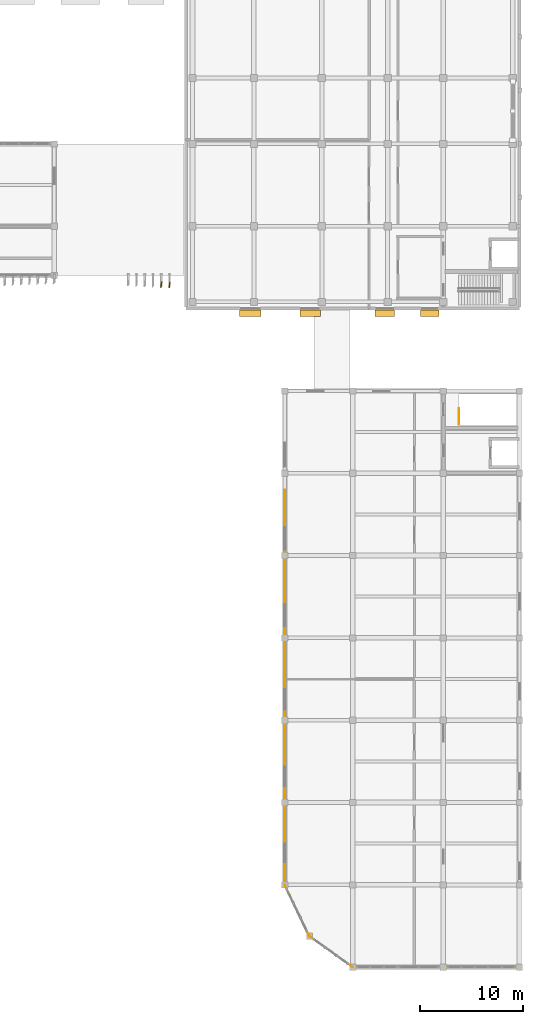
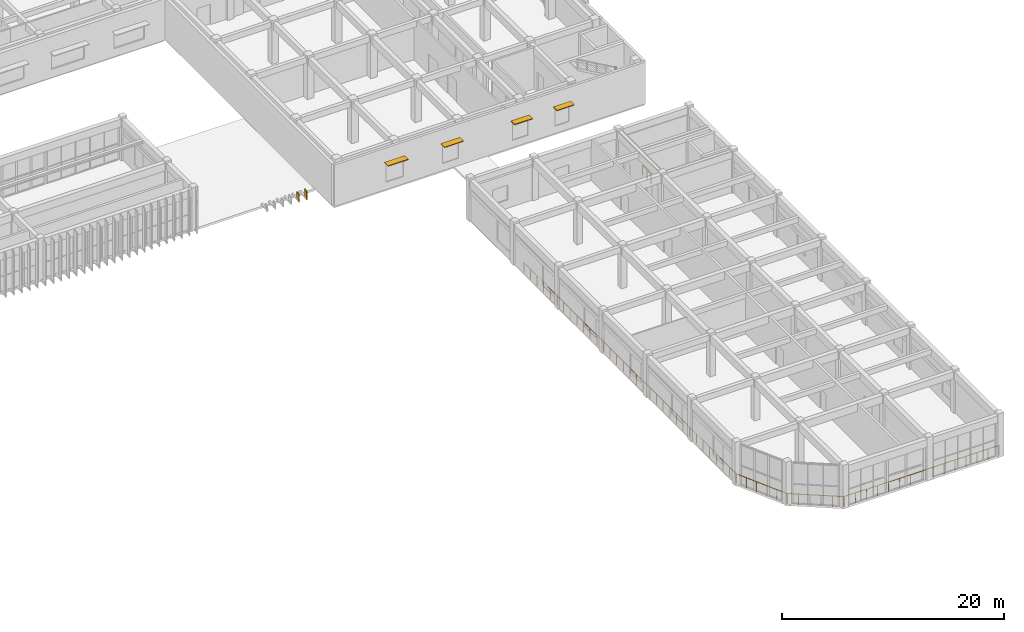
# One storey, part 71 of 76: 5 railings, 4 shading devices, 2 coverings.
"""IFC4 building model written with IfcOpenShell, lengths in metres."""

import ifcopenshell
import ifcopenshell.guid

model = None  # the IFC model being written
_history = None  # IfcOwnerHistory: only IFC2X3 demands one
_inside = {}  # id of a spatial element -> (the spatial element, [elements in it])
_under = {}  # id of a project, library or spatial element -> (it, [spatial elements below it])
_declared = {}  # id of a project -> (the project, [libraries it declares])
_typed = {}  # id of a type object -> (the type object, [elements of that type])
_made_of = {}  # id of a material, layer set ... -> (it, [elements and type objects made of it])


def new_model(schema):
    """Start an empty IFC model of exactly this schema.

    Asked for "IFC4X3", IfcOpenShell would pick the latest addendum, in which some entities
    have other attributes; the version numbers below select the first issue.
    IFC2X3 requires an IfcOwnerHistory on every rooted entity: one is made here for all.
    """
    global model, _history
    if schema == "IFC4X3":
        model = ifcopenshell.file(schema_version=(4, 3, 0, 0))
    else:
        model = ifcopenshell.file(schema=schema)
    _inside.clear()
    _under.clear()
    _declared.clear()
    _typed.clear()
    _made_of.clear()
    _history = None
    if model.schema == "IFC2X3":
        org = make("IfcOrganization", Name="unknown")
        user = make(
            "IfcPersonAndOrganization",
            ThePerson=make("IfcPerson", FamilyName="unknown"),
            TheOrganization=org,
        )
        app = make(
            "IfcApplication",
            ApplicationDeveloper=org,
            Version="unknown",
            ApplicationFullName="unknown",
            ApplicationIdentifier="unknown",
        )
        _history = make(
            "IfcOwnerHistory",
            OwningUser=user,
            OwningApplication=app,
            ChangeAction="ADDED",
            CreationDate=0,
        )
    return model


def make(cls, **values):
    """One entity of the class cls with the attributes given. An attribute that is None is left unset."""
    return model.create_entity(
        cls, **{name: value for name, value in values.items() if value is not None}
    )


def rooted(cls, **values):
    """An entity with a GlobalId (a new one), such as an element, a storey or a relation."""
    return make(cls, GlobalId=ifcopenshell.guid.new(), OwnerHistory=_history, **values)


def si_unit(unit_type, name, prefix=None):
    """IfcSIUnit, for example si_unit("LENGTHUNIT", "METRE", prefix="MILLI")."""
    return make("IfcSIUnit", UnitType=unit_type, Prefix=prefix, Name=name)


def assignment(units):
    """IfcUnitAssignment: the units of a project."""
    return None if units is None else make("IfcUnitAssignment", Units=units)


def point(xyz):
    """IfcCartesianPoint."""
    return None if xyz is None else make("IfcCartesianPoint", Coordinates=xyz)


def direction(xyz):
    """IfcDirection."""
    return None if xyz is None else make("IfcDirection", DirectionRatios=xyz)


def frame(location, z_axis=None, x_axis=None):
    """IfcAxis2Placement3D, a coordinate frame: its origin and axes. An axis left out is left unset."""
    return make(
        "IfcAxis2Placement3D",
        Location=point(location),
        Axis=direction(z_axis),
        RefDirection=direction(x_axis),
    )


def frame_2d(location, x_axis=None):
    """IfcAxis2Placement2D, a coordinate frame in the plane: its origin and x axis."""
    return make(
        "IfcAxis2Placement2D", Location=point(location), RefDirection=direction(x_axis)
    )


def origin():
    """The frame at (0, 0, 0) with its axes left unset."""
    return frame((0.0, 0.0, 0.0))


def origin_2d():
    """The frame at (0, 0) in the plane with its x axis left unset."""
    return frame_2d((0.0, 0.0))


def place(relative_to, where):
    """IfcLocalPlacement: puts the frame where relative to a parent placement (None: the world)."""
    return make(
        "IfcLocalPlacement", PlacementRelTo=relative_to, RelativePlacement=where
    )


def context(
    kind, dimensions, precision=None, world=None, true_north=None, identifier=None
):
    """IfcGeometricRepresentationContext, for example the 3D "Model" context."""
    return make(
        "IfcGeometricRepresentationContext",
        ContextIdentifier=identifier,
        ContextType=kind,
        CoordinateSpaceDimension=dimensions,
        Precision=precision,
        WorldCoordinateSystem=world,
        TrueNorth=true_north,
    )


def subcontext(parent, identifier, kind, view, scale=None):
    """IfcGeometricRepresentationSubContext, for example "Body" below "Model"."""
    return make(
        "IfcGeometricRepresentationSubContext",
        ContextIdentifier=identifier,
        ContextType=kind,
        ParentContext=parent,
        TargetScale=scale,
        TargetView=view,
    )


def project(units=None, contexts=None):
    """IfcProject with its units and contexts."""
    return rooted(
        "IfcProject",
        Name="project",
        RepresentationContexts=contexts,
        UnitsInContext=assignment(units),
    )


def spatial(cls, under=None, at=None, **own):
    """A site, building, storey or space (cls), placed at a placement, below another one or the project."""
    s = rooted(cls, ObjectPlacement=at, **own)
    if under is not None:
        _under.setdefault(under.id(), (under, []))[1].append(s)
    return s


def profile(cls, at=None, kind="AREA", **sizes):
    """A parametric profile (cls). Its sizes go by their IFC names, for example OverallWidth=200.0."""
    return make(cls, ProfileType=kind, Position=at, **sizes)


def rectangle(**sizes):
    """IfcRectangleProfileDef."""
    return profile("IfcRectangleProfileDef", **sizes)


def circle(**sizes):
    """IfcCircleProfileDef."""
    return profile("IfcCircleProfileDef", **sizes)


def extrude(swept, where, along, depth):
    """IfcExtrudedAreaSolid: the profile swept, set in the frame where, extruded along a direction by depth."""
    return make(
        "IfcExtrudedAreaSolid",
        SweptArea=swept,
        Position=where,
        ExtrudedDirection=direction(along),
        Depth=depth,
    )


def shape(context_of_items, identifier, shape_type, items):
    """IfcShapeRepresentation: the items that make up one representation, for example the "Body"."""
    return make(
        "IfcShapeRepresentation",
        ContextOfItems=context_of_items,
        RepresentationIdentifier=identifier,
        RepresentationType=shape_type,
        Items=items,
    )


def material(Name=None, Category=None):
    """IfcMaterial."""
    return make("IfcMaterial", Name=Name, Category=Category)


def layer(
    of_material, thickness, ventilated=None, Name=None, Category=None, Priority=None
):
    """IfcMaterialLayer: one layer of a wall or slab, of a material (None: an air gap)."""
    return make(
        "IfcMaterialLayer",
        Material=of_material,
        LayerThickness=thickness,
        IsVentilated=ventilated,
        Name=Name,
        Category=Category,
        Priority=Priority,
    )


def layer_set(layers, Name=None):
    """IfcMaterialLayerSet."""
    return make("IfcMaterialLayerSet", MaterialLayers=layers, LayerSetName=Name)


def made_of(thing, what):
    """Note that an element or type object is made of a material, layer set ...; save() writes the relation."""
    if what is not None:
        _made_of.setdefault(what.id(), (what, []))[1].append(thing)
    return thing


def type_object(cls, material=None, **own):
    """A type object (cls), such as IfcWallType, which elements share."""
    return made_of(rooted(cls, **own), material)


def element(
    cls,
    number,
    at=None,
    inside=None,
    cuts=None,
    type_object=None,
    material=None,
    context=None,
    identifier="Body",
    shape_type=None,
    held_by="IfcProductDefinitionShape",
    body=None,
    shapes=None,
    **own,
):
    """One element of the class cls, such as IfcWall. Its Tag is "e" and its number.

    at: its placement. inside: the storey or other place that contains it. cuts: it is an
    opening in that element (IfcRelVoidsElement). A single representation is given by context,
    identifier, shape_type and body (its items); several are given by shapes. held_by: the class
    of the entity that holds the representations. save() writes the other relations.
    """
    e = rooted(cls, Tag="e%d" % number, ObjectPlacement=at, **own)
    if body is not None:
        shapes = [shape(context, identifier, shape_type, body)]
    if shapes is not None:
        e.Representation = make(held_by, Representations=shapes)
    if inside is not None:
        _inside.setdefault(inside.id(), (inside, []))[1].append(e)
    if cuts is not None:
        rooted(
            "IfcRelVoidsElement", RelatingBuildingElement=cuts, RelatedOpeningElement=e
        )
    if type_object is not None:
        _typed.setdefault(type_object.id(), (type_object, []))[1].append(e)
    return made_of(e, material)


def aggregate(whole, parts):
    """IfcRelAggregates: a whole, such as a stair, and the parts it consists of."""
    return rooted("IfcRelAggregates", RelatingObject=whole, RelatedObjects=parts)


def save(model, path):
    """Write the relations noted so far, then the file.

    IfcRelAggregates (storeys below a building ...), IfcRelContainedInSpatialStructure (elements
    in a storey), IfcRelDefinesByType, IfcRelAssociatesMaterial and IfcRelDeclares: one each for
    every whole, place, type object, material and project.
    """
    for whole, parts in _under.values():
        aggregate(whole, parts)
    for where, things in _inside.values():
        rooted(
            "IfcRelContainedInSpatialStructure",
            RelatedElements=things,
            RelatingStructure=where,
        )
    for kind, things in _typed.values():
        rooted("IfcRelDefinesByType", RelatedObjects=things, RelatingType=kind)
    for what, things in _made_of.values():
        rooted("IfcRelAssociatesMaterial", RelatedObjects=things, RelatingMaterial=what)
    for by, libraries in _declared.values():
        rooted("IfcRelDeclares", RelatingContext=by, RelatedDefinitions=libraries)
    model.write(path)


model = new_model("IFC4")

# Units and contexts
model_context = context("Model", 3, precision=1e-05, world=origin(), true_north=direction((0.0, 1.0)))
body_context = subcontext(model_context, "Body", "Model", "MODEL_VIEW")
ifc_project = project(units=[si_unit("LENGTHUNIT", "METRE"), si_unit("AREAUNIT", "SQUARE_METRE"), si_unit("VOLUMEUNIT", "CUBIC_METRE"), si_unit("PLANEANGLEUNIT", "RADIAN"), si_unit("MASSUNIT", "GRAM", prefix="KILO")], contexts=[model_context])

# Site, building, storey
site_placement = place(None, origin())
site = spatial("IfcSite", under=ifc_project, at=site_placement, CompositionType="ELEMENT")
building_placement = place(site_placement, origin())
building = spatial("IfcBuilding", under=site, at=building_placement, Name="Cinchona Park Media Centre", CompositionType="ELEMENT")
storey_placement = place(building_placement, frame((0.0, 0.0, 15.60009765625)))
storey = spatial("IfcBuildingStorey", under=building, at=storey_placement, Name="L03", CompositionType="ELEMENT", Elevation=15.60009765625)

# Coverings
ifc_material_1 = material(Name="Anodised Storm-Resistant Aluminium Fin", Category="aluminium")
ifc_layer = layer(ifc_material_1, 0.090087890625)
ifc_layer_set = layer_set([ifc_layer], Name="Anodised Storm-Resistant Aluminium Fin")
covering_type = type_object("IfcCoveringType", Name="CLADDING-FIN01", PredefinedType="CLADDING", material=ifc_layer_set)
covering_1_placement = place(storey_placement, frame((137.199951171875, 73.919921875, 0.0), z_axis=(0.0, 0.0, 1.0), x_axis=(0.150743225348, 0.988572951285, 0.0)))
element("IfcCovering", 1, at=covering_1_placement, inside=storey, type_object=covering_type, Name="Twisting Vertical Facade Fin L03", PredefinedType="CLADDING", context=body_context, shape_type="SweptSolid", body=[
    extrude(rectangle(XDim=0.56005859375, YDim=0.090087890625, at=origin_2d()), origin(), (0.0, 0.0, 1.0), 0.827880859375),
])
covering_2_placement = place(storey_placement, frame((138.0, 73.89111328125, 0.0), z_axis=(0.0, 0.0, 1.0), x_axis=(0.134159142573, 0.990959799621, 0.0)))
element("IfcCovering", 2, at=covering_2_placement, inside=storey, type_object=covering_type, Name="Twisting Vertical Facade Fin L03", PredefinedType="CLADDING", context=body_context, shape_type="SweptSolid", body=[
    extrude(rectangle(XDim=0.56005859375, YDim=0.090087890625, at=origin_2d()), origin(), (0.0, 0.0, 1.0), 0.889892578125),
])

# Railings
ifc_material_2 = material(Name="Galvanised Painted Steel Balustrade", Category="steel")
railing_type_1 = type_object("IfcRailingType", Name="RAILING-GR01", PredefinedType="BALUSTRADE", material=ifc_material_2)
railing_1_placement = place(storey_placement, frame((149.199951171875, 53.968017578125, 0.0)))
element("IfcRailing", 3, at=railing_1_placement, inside=storey, type_object=railing_type_1, Name="Glazed Prow Perimeter Guardrail GR01 L03 S1", PredefinedType="BALUSTRADE", context=body_context, shape_type="SweptSolid", body=[
    extrude(circle(Radius=0.02392578125, at=origin_2d()), frame((0.0, 0.0, 1.09619140625), z_axis=(0.0, -1.0, 0.0), x_axis=(1.0, 0.0, 0.0)), (0.0, 0.0, 1.0), 38.3359375),
    extrude(circle(Radius=0.02099609375, at=origin_2d()), origin(), (0.0, 0.0, 1.0), 1.072021484375),
    extrude(circle(Radius=0.02099609375, at=origin_2d()), frame((0.0, -1.197998046875, 0.0)), (0.0, 0.0, 1.0), 1.072021484375),
    extrude(circle(Radius=0.02099609375, at=origin_2d()), frame((0.0, -2.39599609375, 0.0)), (0.0, 0.0, 1.0), 1.072021484375),
    extrude(circle(Radius=0.02099609375, at=origin_2d()), frame((0.0, -3.593994140625, 0.0)), (0.0, 0.0, 1.0), 1.072021484375),
    extrude(circle(Radius=0.02099609375, at=origin_2d()), frame((0.0, -4.7919921875, 0.0)), (0.0, 0.0, 1.0), 1.072021484375),
    extrude(circle(Radius=0.02099609375, at=origin_2d()), frame((0.0, -5.989990234375, 0.0)), (0.0, 0.0, 1.0), 1.072021484375),
    extrude(circle(Radius=0.02099609375, at=origin_2d()), frame((0.0, -7.18798828125, 0.0)), (0.0, 0.0, 1.0), 1.072021484375),
    extrude(circle(Radius=0.02099609375, at=origin_2d()), frame((0.0, -8.385986328125, 0.0)), (0.0, 0.0, 1.0), 1.072021484375),
    extrude(circle(Radius=0.02099609375, at=origin_2d()), frame((0.0, -9.583984375, 0.0)), (0.0, 0.0, 1.0), 1.072021484375),
    extrude(circle(Radius=0.02099609375, at=origin_2d()), frame((0.0, -10.781982421875, 0.0)), (0.0, 0.0, 1.0), 1.072021484375),
    extrude(circle(Radius=0.02099609375, at=origin_2d()), frame((0.0, -11.97998046875, 0.0)), (0.0, 0.0, 1.0), 1.072021484375),
    extrude(circle(Radius=0.02099609375, at=origin_2d()), frame((0.0, -13.177978515625, 0.0)), (0.0, 0.0, 1.0), 1.072021484375),
    extrude(circle(Radius=0.02099609375, at=origin_2d()), frame((0.0, -14.3759765625, 0.0)), (0.0, 0.0, 1.0), 1.072021484375),
    extrude(circle(Radius=0.02099609375, at=origin_2d()), frame((0.0, -15.573974609375, 0.0)), (0.0, 0.0, 1.0), 1.072021484375),
    extrude(circle(Radius=0.02099609375, at=origin_2d()), frame((0.0, -16.77197265625, 0.0)), (0.0, 0.0, 1.0), 1.072021484375),
    extrude(circle(Radius=0.02099609375, at=origin_2d()), frame((0.0, -17.969970703125, 0.0)), (0.0, 0.0, 1.0), 1.072021484375),
    extrude(circle(Radius=0.02099609375, at=origin_2d()), frame((0.0, -19.16796875, 0.0)), (0.0, 0.0, 1.0), 1.072021484375),
    extrude(circle(Radius=0.02099609375, at=origin_2d()), frame((0.0, -20.365966796875, 0.0)), (0.0, 0.0, 1.0), 1.072021484375),
    extrude(circle(Radius=0.02099609375, at=origin_2d()), frame((0.0, -21.56396484375, 0.0)), (0.0, 0.0, 1.0), 1.072021484375),
    extrude(circle(Radius=0.02099609375, at=origin_2d()), frame((0.0, -22.761962890625, 0.0)), (0.0, 0.0, 1.0), 1.072021484375),
    extrude(circle(Radius=0.02099609375, at=origin_2d()), frame((0.0, -23.9599609375, 0.0)), (0.0, 0.0, 1.0), 1.072021484375),
    extrude(circle(Radius=0.02099609375, at=origin_2d()), frame((0.0, -25.157958984375, 0.0)), (0.0, 0.0, 1.0), 1.072021484375),
    extrude(circle(Radius=0.02099609375, at=origin_2d()), frame((0.0, -26.35595703125, 0.0)), (0.0, 0.0, 1.0), 1.072021484375),
    extrude(circle(Radius=0.02099609375, at=origin_2d()), frame((0.0, -27.553955078125, 0.0)), (0.0, 0.0, 1.0), 1.072021484375),
    extrude(circle(Radius=0.02099609375, at=origin_2d()), frame((0.0, -28.751953125, 0.0)), (0.0, 0.0, 1.0), 1.072021484375),
    extrude(circle(Radius=0.02099609375, at=origin_2d()), frame((0.0, -29.949951171875, 0.0)), (0.0, 0.0, 1.0), 1.072021484375),
    extrude(circle(Radius=0.02099609375, at=origin_2d()), frame((0.0, -31.14794921875, 0.0)), (0.0, 0.0, 1.0), 1.072021484375),
    extrude(circle(Radius=0.02099609375, at=origin_2d()), frame((0.0, -32.345947265625, 0.0)), (0.0, 0.0, 1.0), 1.072021484375),
    extrude(circle(Radius=0.02099609375, at=origin_2d()), frame((0.0, -33.5439453125, 0.0)), (0.0, 0.0, 1.0), 1.072021484375),
    extrude(circle(Radius=0.02099609375, at=origin_2d()), frame((0.0, -34.741943359375, 0.0)), (0.0, 0.0, 1.0), 1.072021484375),
    extrude(circle(Radius=0.02099609375, at=origin_2d()), frame((0.0, -35.93994140625, 0.0)), (0.0, 0.0, 1.0), 1.072021484375),
    extrude(circle(Radius=0.02099609375, at=origin_2d()), frame((0.0, -37.137939453125, 0.0)), (0.0, 0.0, 1.0), 1.072021484375),
    extrude(circle(Radius=0.02099609375, at=origin_2d()), frame((0.0, -38.3359375, 0.0)), (0.0, 0.0, 1.0), 1.072021484375),
])
railing_2_placement = place(storey_placement, frame((149.214111328125, 15.571044921875, 0.0)))
element("IfcRailing", 4, at=railing_2_placement, inside=storey, type_object=railing_type_1, Name="Glazed Prow Perimeter Guardrail GR01 L03 S2", PredefinedType="BALUSTRADE", context=body_context, shape_type="SweptSolid", body=[
    extrude(circle(Radius=0.02392578125, at=origin_2d()), frame((0.0, 0.0, 1.09619140625), z_axis=(0.432671704006, -0.901551549582, 0.0), x_axis=(0.901551549582, 0.432671704006, 0.0)), (0.0, 0.0, 1.0), 5.48193359375),
    extrude(circle(Radius=0.02099609375, at=origin_2d()), origin(), (0.0, 0.0, 1.0), 1.072021484375),
    extrude(circle(Radius=0.02099609375, at=origin_2d()), frame((0.474365234375, -0.988525390625, 0.0)), (0.0, 0.0, 1.0), 1.072021484375),
    extrude(circle(Radius=0.02099609375, at=origin_2d()), frame((0.94873046875, -1.976806640625, 0.0)), (0.0, 0.0, 1.0), 1.072021484375),
    extrude(circle(Radius=0.02099609375, at=origin_2d()), frame((1.423095703125, -2.96533203125, 0.0)), (0.0, 0.0, 1.0), 1.072021484375),
    extrude(circle(Radius=0.02099609375, at=origin_2d()), frame((1.8974609375, -3.95361328125, 0.0)), (0.0, 0.0, 1.0), 1.072021484375),
    extrude(circle(Radius=0.02099609375, at=origin_2d()), frame((2.371826171875, -4.942138671875, 0.0)), (0.0, 0.0, 1.0), 1.072021484375),
])
railing_3_placement = place(storey_placement, frame((151.6259765625, 10.5810546875, 0.0)))
element("IfcRailing", 5, at=railing_3_placement, inside=storey, type_object=railing_type_1, Name="Glazed Prow Perimeter Guardrail GR01 L03 S3", PredefinedType="BALUSTRADE", context=body_context, shape_type="SweptSolid", body=[
    extrude(circle(Radius=0.02392578125, at=origin_2d()), frame((0.0, 0.0, 1.09619140625), z_axis=(0.813794957928, -0.581152102681, 0.0), x_axis=(0.581152102681, 0.813794957928, 0.0)), (0.0, 0.0, 1.0), 5.096923828125),
    extrude(circle(Radius=0.02099609375, at=origin_2d()), origin(), (0.0, 0.0, 1.0), 1.072021484375),
    extrude(circle(Radius=0.02099609375, at=origin_2d()), frame((0.82958984375, -0.592529296875, 0.0)), (0.0, 0.0, 1.0), 1.072021484375),
    extrude(circle(Radius=0.02099609375, at=origin_2d()), frame((1.6591796875, -1.184814453125, 0.0)), (0.0, 0.0, 1.0), 1.072021484375),
    extrude(circle(Radius=0.02099609375, at=origin_2d()), frame((2.48876953125, -1.77734375, 0.0)), (0.0, 0.0, 1.0), 1.072021484375),
    extrude(circle(Radius=0.02099609375, at=origin_2d()), frame((3.318359375, -2.36962890625, 0.0)), (0.0, 0.0, 1.0), 1.072021484375),
    extrude(circle(Radius=0.02099609375, at=origin_2d()), frame((4.14794921875, -2.962158203125, 0.0)), (0.0, 0.0, 1.0), 1.072021484375),
])
railing_4_placement = place(storey_placement, frame((155.83203125, 7.60009765625, 0.0)))
element("IfcRailing", 6, at=railing_4_placement, inside=storey, type_object=railing_type_1, Name="Glazed Prow Perimeter Guardrail GR01 L03 S4", PredefinedType="BALUSTRADE", context=body_context, shape_type="SweptSolid", body=[
    extrude(circle(Radius=0.02392578125, at=origin_2d()), frame((0.0, 0.0, 1.09619140625), z_axis=(1.0, 0.0, 0.0), x_axis=(0.0, 1.0, 0.0)), (0.0, 0.0, 1.0), 16.135986328125),
    extrude(circle(Radius=0.02099609375, at=origin_2d()), origin(), (0.0, 0.0, 1.0), 1.072021484375),
    extrude(circle(Radius=0.02099609375, at=origin_2d()), frame((1.152587890625, 0.0, 0.0)), (0.0, 0.0, 1.0), 1.072021484375),
    extrude(circle(Radius=0.02099609375, at=origin_2d()), frame((2.30517578125, 0.0, 0.0)), (0.0, 0.0, 1.0), 1.072021484375),
    extrude(circle(Radius=0.02099609375, at=origin_2d()), frame((3.457763671875, 0.0, 0.0)), (0.0, 0.0, 1.0), 1.072021484375),
    extrude(circle(Radius=0.02099609375, at=origin_2d()), frame((4.6103515625, 0.0, 0.0)), (0.0, 0.0, 1.0), 1.072021484375),
    extrude(circle(Radius=0.02099609375, at=origin_2d()), frame((5.762939453125, 0.0, 0.0)), (0.0, 0.0, 1.0), 1.072021484375),
    extrude(circle(Radius=0.02099609375, at=origin_2d()), frame((6.91552734375, 0.0, 0.0)), (0.0, 0.0, 1.0), 1.072021484375),
    extrude(circle(Radius=0.02099609375, at=origin_2d()), frame((8.06787109375, 0.0, 0.0)), (0.0, 0.0, 1.0), 1.072021484375),
    extrude(circle(Radius=0.02099609375, at=origin_2d()), frame((9.220458984375, 0.0, 0.0)), (0.0, 0.0, 1.0), 1.072021484375),
    extrude(circle(Radius=0.02099609375, at=origin_2d()), frame((10.373046875, 0.0, 0.0)), (0.0, 0.0, 1.0), 1.072021484375),
    extrude(circle(Radius=0.02099609375, at=origin_2d()), frame((11.525634765625, 0.0, 0.0)), (0.0, 0.0, 1.0), 1.072021484375),
    extrude(circle(Radius=0.02099609375, at=origin_2d()), frame((12.67822265625, 0.0, 0.0)), (0.0, 0.0, 1.0), 1.072021484375),
    extrude(circle(Radius=0.02099609375, at=origin_2d()), frame((13.830810546875, 0.0, 0.0)), (0.0, 0.0, 1.0), 1.072021484375),
    extrude(circle(Radius=0.02099609375, at=origin_2d()), frame((14.9833984375, 0.0, 0.0)), (0.0, 0.0, 1.0), 1.072021484375),
    extrude(circle(Radius=0.02099609375, at=origin_2d()), frame((16.135986328125, 0.0, 0.0)), (0.0, 0.0, 1.0), 1.072021484375),
])
ifc_material_3 = material(Name="Painted Steel Stairwell Guardrail", Category="steel")
railing_type_2 = type_object("IfcRailingType", Name="RAILING-GR02", PredefinedType="GUARDRAIL", material=ifc_material_3)
railing_5_placement = place(storey_placement, frame((166.135009765625, 60.320068359375, 0.0)))
element("IfcRailing", 7, at=railing_5_placement, inside=storey, type_object=railing_type_2, Name="Stairwell Guardrail GR02 ST7 L03", PredefinedType="GUARDRAIL", context=body_context, shape_type="SweptSolid", body=[
    extrude(circle(Radius=0.02392578125, at=origin_2d()), frame((0.0, 0.0, 1.076171875), z_axis=(0.0, 1.0, 0.0), x_axis=(-1.0, 0.0, 0.0)), (0.0, 0.0, 1.0), 1.559814453125),
    extrude(circle(Radius=0.02099609375, at=origin_2d()), origin(), (0.0, 0.0, 1.0), 1.052001953125),
    extrude(circle(Radius=0.02099609375, at=origin_2d()), frame((0.0, 0.77978515625, 0.0)), (0.0, 0.0, 1.0), 1.052001953125),
    extrude(circle(Radius=0.02099609375, at=origin_2d()), frame((0.0, 1.559814453125, 0.0)), (0.0, 0.0, 1.0), 1.052001953125),
])

# Shading devices
ifc_material_4 = material(Name="Anodised Aluminium Horizontal Brise-Soleil", Category="aluminium")
shading_device_type = type_object("IfcShadingDeviceType", Name="SHADING-SUN01", PredefinedType="AWNING", material=ifc_material_4)
shading_device_1_placement = place(storey_placement, frame((163.2900390625, 71.155029296875, 2.919921875), z_axis=(0.0, 0.0, 1.0), x_axis=(-1.0, 0.0, 0.0)))
element("IfcShadingDevice", 8, at=shading_device_1_placement, inside=storey, type_object=shading_device_type, Name="Horizontal Sunshade SHD02 L03", PredefinedType="AWNING", context=body_context, shape_type="SweptSolid", body=[
    extrude(rectangle(XDim=1.800048828125, YDim=0.64990234375, at=origin_2d()), origin(), (0.0, 0.0, 1.0), 0.080078125),
])
shading_device_2_placement = place(storey_placement, frame((158.929931640625, 71.155029296875, 2.919921875), z_axis=(0.0, 0.0, 1.0), x_axis=(-1.0, 0.0, 0.0)))
element("IfcShadingDevice", 9, at=shading_device_2_placement, inside=storey, type_object=shading_device_type, Name="Horizontal Sunshade SHD02 L03", PredefinedType="AWNING", context=body_context, shape_type="SweptSolid", body=[
    extrude(rectangle(XDim=1.89990234375, YDim=0.64990234375, at=origin_2d()), origin(), (0.0, 0.0, 1.0), 0.080078125),
])
shading_device_3_placement = place(storey_placement, frame((151.669921875, 71.155029296875, 2.969970703125), z_axis=(0.0, 0.0, 1.0), x_axis=(-1.0, 0.0, 0.0)))
element("IfcShadingDevice", 10, at=shading_device_3_placement, inside=storey, type_object=shading_device_type, Name="Horizontal Sunshade SHD02 L03", PredefinedType="AWNING", context=body_context, shape_type="SweptSolid", body=[
    extrude(rectangle(XDim=2.0, YDim=0.64990234375, at=origin_2d()), origin(), (0.0, 0.0, 1.0), 0.080078125),
])
shading_device_4_placement = place(storey_placement, frame((145.860107421875, 71.155029296875, 2.969970703125), z_axis=(0.0, 0.0, 1.0), x_axis=(-1.0, 0.0, 0.0)))
element("IfcShadingDevice", 11, at=shading_device_4_placement, inside=storey, type_object=shading_device_type, Name="Horizontal Sunshade SHD02 L03", PredefinedType="AWNING", context=body_context, shape_type="SweptSolid", body=[
    extrude(rectangle(XDim=2.10009765625, YDim=0.64990234375, at=origin_2d()), origin(), (0.0, 0.0, 1.0), 0.080078125),
])

save(model, "model.ifc")
